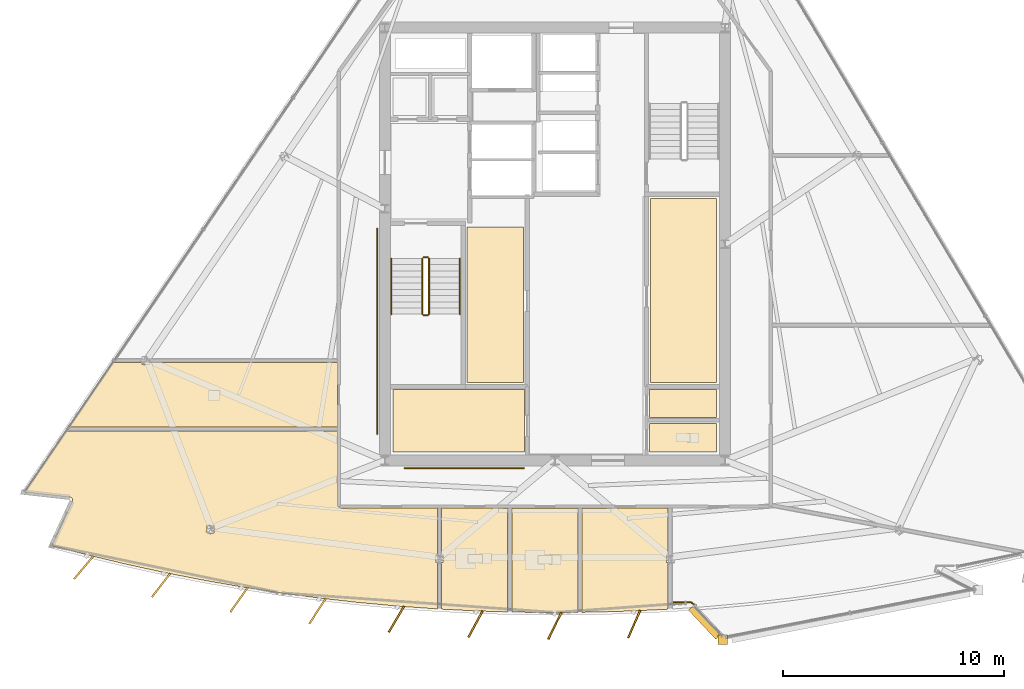
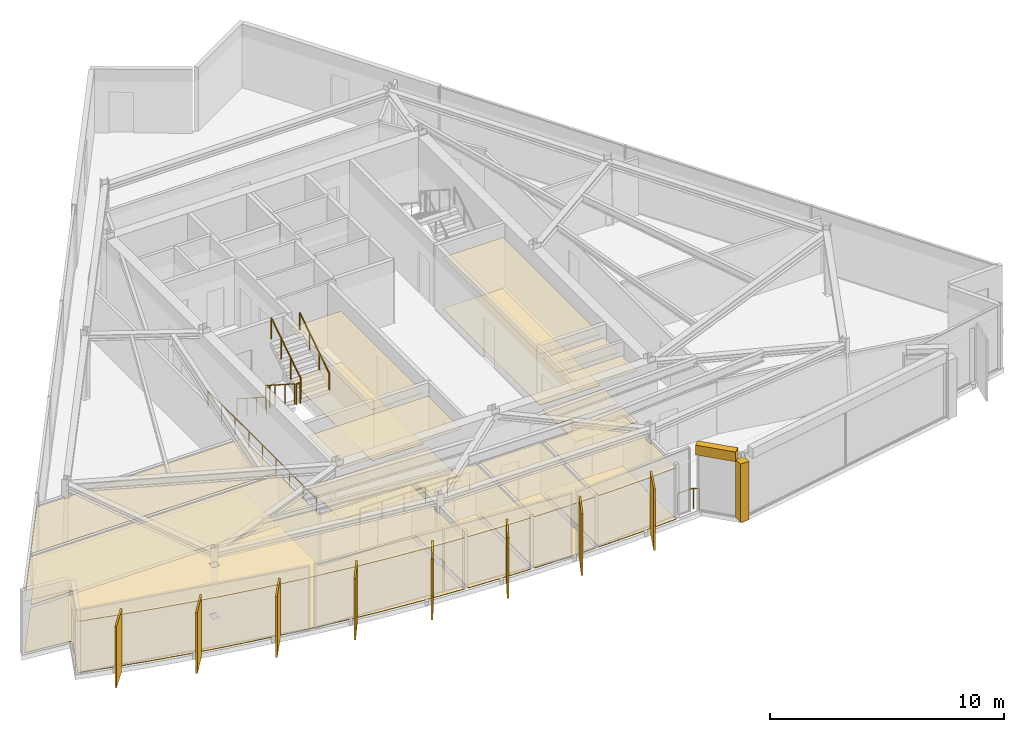
# One storey, part 9 of 13: 22 coverings, 9 railings, 8 shading devices.
"""IFC4 building model written with IfcOpenShell, lengths in metres."""

from ifc_helpers import new_model, si_unit, direction, frame, origin, origin_2d, place, context, subcontext, project, spatial, polyline, rectangle, circle, outline, extrude, material, layer, layer_set, type_object, element, save


model = new_model("IFC4")

# Units and contexts
model_context = context("Model", 3, precision=1e-05, world=origin(), true_north=direction((0.0, 1.0)))
body_context = subcontext(model_context, "Body", "Model", "MODEL_VIEW")
ifc_project = project(units=[si_unit("LENGTHUNIT", "METRE"), si_unit("AREAUNIT", "SQUARE_METRE"), si_unit("VOLUMEUNIT", "CUBIC_METRE"), si_unit("PLANEANGLEUNIT", "RADIAN"), si_unit("MASSUNIT", "GRAM", prefix="KILO")], contexts=[model_context])

# Site, building, storey
site_placement = place(None, origin())
site = spatial("IfcSite", under=ifc_project, at=site_placement, CompositionType="ELEMENT")
building_placement = place(site_placement, origin())
building = spatial("IfcBuilding", under=site, at=building_placement, Name="Savorim Split Tower", CompositionType="ELEMENT")
storey_placement = place(building_placement, frame((0.0, 0.0, 265.199951171875)))
storey = spatial("IfcBuildingStorey", under=building, at=storey_placement, Name="L70", CompositionType="ELEMENT", Elevation=265.199951171875)

# Coverings
ifc_material_1 = material(Name="Mineral Fibre Acoustic Ceiling")
ifc_layer_1 = layer(ifc_material_1, 0.02490234375)
ifc_layer_set_1 = layer_set([ifc_layer_1], Name="COV-CEIL-25")
covering_type_1 = type_object("IfcCoveringType", Name="COV-CEIL-25", PredefinedType="CEILING", material=ifc_layer_set_1)
covering_1_placement = place(storey_placement, frame((0.0, 0.0, 2.670166015625)))
element("IfcCovering", 1, at=covering_1_placement, inside=storey, type_object=covering_type_1, Name="L70 Shared Pantry and Linen Room Acoustic Ceiling", PredefinedType="CEILING", context=body_context, shape_type="SweptSolid", body=[
    extrude(outline(polyline([(4.330078125, 2.469970703125), (4.330078125, -5.8701171875), (7.320068359375, -5.8701171875), (7.320068359375, 2.469970703125), (4.330078125, 2.469970703125)])), origin(), (0.0, 0.0, 1.0), 0.02490234375),
])
covering_2_placement = place(storey_placement, frame((0.0, 0.0, 2.670166015625)))
element("IfcCovering", 2, at=covering_2_placement, inside=storey, type_object=covering_type_1, Name="L70 Housekeeping and Parcel Room Acoustic Ceiling", PredefinedType="CEILING", context=body_context, shape_type="SweptSolid", body=[
    extrude(outline(polyline([(-3.969970703125, 1.169921875), (-3.969970703125, -5.8701171875), (-1.429931640625, -5.8701171875), (-1.429931640625, 1.169921875), (-3.969970703125, 1.169921875)])), origin(), (0.0, 0.0, 1.0), 0.02490234375),
])
covering_3_placement = place(storey_placement, frame((0.0, 0.0, 2.670166015625)))
element("IfcCovering", 3, at=covering_3_placement, inside=storey, type_object=covering_type_1, Name="L70 Housekeeping Store Acoustic Ceiling", PredefinedType="CEILING", context=body_context, shape_type="SweptSolid", body=[
    extrude(outline(polyline([(-7.320068359375, -6.179931640625), (-7.320068359375, -9.02001953125), (-1.3798828125, -9.02001953125), (-1.3798828125, -6.179931640625), (-7.320068359375, -6.179931640625)])), origin(), (0.0, 0.0, 1.0), 0.02490234375),
])
covering_4_placement = place(storey_placement, frame((0.0, 0.0, 2.670166015625)))
element("IfcCovering", 4, at=covering_4_placement, inside=storey, type_object=covering_type_1, Name="L70 Accessible WC Acoustic Ceiling", PredefinedType="CEILING", context=body_context, shape_type="SweptSolid", body=[
    extrude(outline(polyline([(4.280029296875, -7.719970703125), (4.280029296875, -9.02001953125), (7.320068359375, -9.02001953125), (7.320068359375, -7.719970703125), (4.280029296875, -7.719970703125)])), origin(), (0.0, 0.0, 1.0), 0.02490234375),
])
covering_5_placement = place(storey_placement, frame((0.0, 0.0, 2.670166015625)))
element("IfcCovering", 5, at=covering_5_placement, inside=storey, type_object=covering_type_1, Name="L70 Cleaning Store Acoustic Ceiling", PredefinedType="CEILING", context=body_context, shape_type="SweptSolid", body=[
    extrude(outline(polyline([(4.280029296875, -6.179931640625), (4.280029296875, -7.43994140625), (7.320068359375, -7.43994140625), (7.320068359375, -6.179931640625), (4.280029296875, -6.179931640625)])), origin(), (0.0, 0.0, 1.0), 0.02490234375),
])
covering_6_placement = place(storey_placement, frame((0.0, 0.0, 2.670166015625)))
element("IfcCovering", 6, at=covering_6_placement, inside=storey, type_object=covering_type_1, Name="L70 Shared Kitchen Acoustic Ceiling", PredefinedType="CEILING", context=body_context, shape_type="SweptSolid", body=[
    extrude(outline(polyline([(-19.8955078125, -4.968017578125), (-19.990478515625, -4.968017578125), (-19.990478515625, -4.923828125), (-21.999755859375, -7.87744140625), (-9.840087890625, -7.87744140625), (-9.840087890625, -4.968017578125), (-18.35791015625, -4.968017578125), (-18.35791015625, -5.048095703125), (-18.68701171875, -5.048095703125), (-18.68701171875, -4.968017578125), (-19.8955078125, -4.968017578125)])), origin(), (0.0, 0.0, 1.0), 0.02490234375),
])
covering_7_placement = place(storey_placement, frame((0.0, 0.0, 2.670166015625)))
element("IfcCovering", 7, at=covering_7_placement, inside=storey, type_object=covering_type_1, Name="L70 Co-Working Commons Acoustic Ceiling", PredefinedType="CEILING", context=body_context, shape_type="SweptSolid", body=[
    extrude(outline(polyline([(-21.83837890625, -11.17236328125), (-21.83837890625, -11.18408203125), (-21.839111328125, -11.196044921875), (-21.84130859375, -11.2080078125), (-21.8447265625, -11.21923828125), (-21.84912109375, -11.23046875), (-22.7783203125, -13.2529296875), (-21.18994140625, -13.668212890625), (-19.45556640625, -14.084228515625), (-17.712890625, -14.464599609375), (-15.962646484375, -14.80908203125), (-14.2060546875, -15.117919921875), (-12.443359375, -15.390380859375), (-10.67529296875, -15.626953125), (-8.90283203125, -15.827392578125), (-7.126953125, -15.991455078125), (-5.34765625, -16.118896484375), (-5.321533203125, -16.120361328125), (-5.321533203125, -14.013427734375), (-5.39111328125, -14.013427734375), (-5.39111328125, -13.663330078125), (-5.321533203125, -13.663330078125), (-5.321533203125, -11.5400390625), (-9.699951171875, -11.5400390625), (-9.713623046875, -11.539306640625), (-9.727294921875, -11.537353515625), (-9.740478515625, -11.533935546875), (-9.753662109375, -11.529296875), (-9.76611328125, -11.5234375), (-9.77783203125, -11.516357421875), (-9.788818359375, -11.50830078125), (-9.799072265625, -11.4990234375), (-9.80810546875, -11.48876953125), (-9.81640625, -11.477783203125), (-9.823486328125, -11.466064453125), (-9.829345703125, -11.45361328125), (-9.833984375, -11.440673828125), (-9.83740234375, -11.42724609375), (-9.83935546875, -11.413818359375), (-9.840087890625, -11.39990234375), (-9.840087890625, -8.0673828125), (-22.12890625, -8.0673828125), (-24.0087890625, -10.83056640625), (-21.94482421875, -11.06103515625), (-21.93310546875, -11.06298828125), (-21.921630859375, -11.06591796875), (-21.910400390625, -11.0703125), (-21.899658203125, -11.075439453125), (-21.8896484375, -11.081787109375), (-21.880126953125, -11.089111328125), (-21.87158203125, -11.097412109375), (-21.86376953125, -11.1064453125), (-21.856689453125, -11.1162109375), (-21.850830078125, -11.12646484375), (-21.84619140625, -11.137451171875), (-21.84228515625, -11.148681640625), (-21.83984375, -11.160400390625), (-21.83837890625, -11.17236328125)]), holes=[polyline([(-15.759033203125, -12.68212890625), (-15.429931640625, -12.68212890625), (-15.429931640625, -12.332275390625), (-15.759033203125, -12.332275390625), (-15.759033203125, -12.68212890625)])]), origin(), (0.0, 0.0, 1.0), 0.02490234375),
])
covering_8_placement = place(storey_placement, frame((0.0, 0.0, 2.670166015625)))
element("IfcCovering", 8, at=covering_8_placement, inside=storey, type_object=covering_type_1, Name="L70 Shared Bathroom Acoustic Ceiling", PredefinedType="CEILING", context=body_context, shape_type="SweptSolid", body=[
    extrude(outline(polyline([(-5.131591796875, -16.0751953125), (-5.131591796875, -16.130126953125), (-3.56640625, -16.210205078125), (-2.136962890625, -16.254150390625), (-2.136962890625, -11.5400390625), (-5.131591796875, -11.5400390625), (-5.131591796875, -13.663330078125), (-5.06201171875, -13.663330078125), (-5.06201171875, -14.013427734375), (-5.131591796875, -14.013427734375), (-5.131591796875, -16.0751953125)])), origin(), (0.0, 0.0, 1.0), 0.02490234375),
])
covering_9_placement = place(storey_placement, frame((0.0, 0.0, 2.670166015625)))
element("IfcCovering", 9, at=covering_9_placement, inside=storey, type_object=covering_type_1, Name="L70 Shared Bathroom Acoustic Ceiling", PredefinedType="CEILING", context=body_context, shape_type="SweptSolid", body=[
    extrude(outline(polyline([(-1.947021484375, -16.260009765625), (-1.783447265625, -16.264892578125), (0.0, -16.283203125), (1.047607421875, -16.2724609375), (1.047607421875, -11.5400390625), (-1.947021484375, -11.5400390625), (-1.947021484375, -16.260009765625)])), origin(), (0.0, 0.0, 1.0), 0.02490234375),
])
covering_10_placement = place(storey_placement, frame((0.0, 0.0, 2.670166015625)))
element("IfcCovering", 10, at=covering_10_placement, inside=storey, type_object=covering_type_1, Name="L70 Co-Living Bedroom Acoustic Ceiling", PredefinedType="CEILING", context=body_context, shape_type="SweptSolid", body=[
    extrude(outline(polyline([(1.237548828125, -11.5400390625), (1.237548828125, -16.2705078125), (1.783447265625, -16.264892578125), (3.56640625, -16.210205078125), (5.131591796875, -16.130126953125), (5.131591796875, -14.013427734375), (5.06201171875, -14.013427734375), (5.06201171875, -13.663330078125), (5.131591796875, -13.663330078125), (5.131591796875, -11.5400390625), (1.237548828125, -11.5400390625)])), origin(), (0.0, 0.0, 1.0), 0.02490234375),
])
ifc_material_2 = material(Name="Porcelain Stoneware Flooring", Category="masonry")
ifc_layer_2 = layer(ifc_material_2, 0.02001953125)
ifc_layer_set_2 = layer_set([ifc_layer_2], Name="COV-FLOR-20")
covering_type_2 = type_object("IfcCoveringType", Name="COV-FLOR-20", PredefinedType="FLOORING", material=ifc_layer_set_2)
covering_11_placement = place(storey_placement, origin())
element("IfcCovering", 11, at=covering_11_placement, inside=storey, type_object=covering_type_2, Name="L70 Shared Pantry and Linen Room Porcelain Flooring", PredefinedType="FLOORING", context=body_context, shape_type="SweptSolid", body=[
    extrude(outline(polyline([(4.330078125, 2.469970703125), (4.330078125, -5.8701171875), (7.320068359375, -5.8701171875), (7.320068359375, 2.469970703125), (4.330078125, 2.469970703125)])), origin(), (0.0, 0.0, 1.0), 0.02001953125),
])
covering_12_placement = place(storey_placement, origin())
element("IfcCovering", 12, at=covering_12_placement, inside=storey, type_object=covering_type_2, Name="L70 Housekeeping and Parcel Room Porcelain Flooring", PredefinedType="FLOORING", context=body_context, shape_type="SweptSolid", body=[
    extrude(outline(polyline([(-3.969970703125, 1.169921875), (-3.969970703125, -5.8701171875), (-1.429931640625, -5.8701171875), (-1.429931640625, 1.169921875), (-3.969970703125, 1.169921875)])), origin(), (0.0, 0.0, 1.0), 0.02001953125),
])
covering_13_placement = place(storey_placement, origin())
element("IfcCovering", 13, at=covering_13_placement, inside=storey, type_object=covering_type_2, Name="L70 Housekeeping Store Porcelain Flooring", PredefinedType="FLOORING", context=body_context, shape_type="SweptSolid", body=[
    extrude(outline(polyline([(-7.320068359375, -6.179931640625), (-7.320068359375, -9.02001953125), (-1.3798828125, -9.02001953125), (-1.3798828125, -6.179931640625), (-7.320068359375, -6.179931640625)])), origin(), (0.0, 0.0, 1.0), 0.02001953125),
])
covering_14_placement = place(storey_placement, origin())
element("IfcCovering", 14, at=covering_14_placement, inside=storey, type_object=covering_type_2, Name="L70 Accessible WC Porcelain Flooring", PredefinedType="FLOORING", context=body_context, shape_type="SweptSolid", body=[
    extrude(outline(polyline([(4.280029296875, -7.719970703125), (4.280029296875, -9.02001953125), (7.320068359375, -9.02001953125), (7.320068359375, -7.719970703125), (4.280029296875, -7.719970703125)])), origin(), (0.0, 0.0, 1.0), 0.02001953125),
])
covering_15_placement = place(storey_placement, origin())
element("IfcCovering", 15, at=covering_15_placement, inside=storey, type_object=covering_type_2, Name="L70 Cleaning Store Porcelain Flooring", PredefinedType="FLOORING", context=body_context, shape_type="SweptSolid", body=[
    extrude(outline(polyline([(4.280029296875, -6.179931640625), (4.280029296875, -7.43994140625), (7.320068359375, -7.43994140625), (7.320068359375, -6.179931640625), (4.280029296875, -6.179931640625)])), origin(), (0.0, 0.0, 1.0), 0.02001953125),
])
covering_16_placement = place(storey_placement, origin())
element("IfcCovering", 16, at=covering_16_placement, inside=storey, type_object=covering_type_2, Name="L70 Shared Kitchen Porcelain Flooring", PredefinedType="FLOORING", context=body_context, shape_type="SweptSolid", body=[
    extrude(outline(polyline([(-19.8955078125, -4.968017578125), (-19.990478515625, -4.968017578125), (-19.990478515625, -4.923828125), (-21.999755859375, -7.87744140625), (-9.840087890625, -7.87744140625), (-9.840087890625, -4.968017578125), (-18.35791015625, -4.968017578125), (-18.35791015625, -5.048095703125), (-18.68701171875, -5.048095703125), (-18.68701171875, -4.968017578125), (-19.8955078125, -4.968017578125)])), origin(), (0.0, 0.0, 1.0), 0.02001953125),
])
covering_17_placement = place(storey_placement, origin())
element("IfcCovering", 17, at=covering_17_placement, inside=storey, type_object=covering_type_2, Name="L70 Co-Working Commons Porcelain Flooring", PredefinedType="FLOORING", context=body_context, shape_type="SweptSolid", body=[
    extrude(outline(polyline([(-21.83837890625, -11.17236328125), (-21.83837890625, -11.18408203125), (-21.839111328125, -11.196044921875), (-21.84130859375, -11.2080078125), (-21.8447265625, -11.21923828125), (-21.84912109375, -11.23046875), (-22.7783203125, -13.2529296875), (-21.18994140625, -13.668212890625), (-19.45556640625, -14.084228515625), (-17.712890625, -14.464599609375), (-15.962646484375, -14.80908203125), (-14.2060546875, -15.117919921875), (-12.443359375, -15.390380859375), (-10.67529296875, -15.626953125), (-8.90283203125, -15.827392578125), (-7.126953125, -15.991455078125), (-5.34765625, -16.118896484375), (-5.321533203125, -16.120361328125), (-5.321533203125, -14.013427734375), (-5.39111328125, -14.013427734375), (-5.39111328125, -13.663330078125), (-5.321533203125, -13.663330078125), (-5.321533203125, -11.5400390625), (-9.699951171875, -11.5400390625), (-9.713623046875, -11.539306640625), (-9.727294921875, -11.537353515625), (-9.740478515625, -11.533935546875), (-9.753662109375, -11.529296875), (-9.76611328125, -11.5234375), (-9.77783203125, -11.516357421875), (-9.788818359375, -11.50830078125), (-9.799072265625, -11.4990234375), (-9.80810546875, -11.48876953125), (-9.81640625, -11.477783203125), (-9.823486328125, -11.466064453125), (-9.829345703125, -11.45361328125), (-9.833984375, -11.440673828125), (-9.83740234375, -11.42724609375), (-9.83935546875, -11.413818359375), (-9.840087890625, -11.39990234375), (-9.840087890625, -8.0673828125), (-22.12890625, -8.0673828125), (-24.0087890625, -10.83056640625), (-21.94482421875, -11.06103515625), (-21.93310546875, -11.06298828125), (-21.921630859375, -11.06591796875), (-21.910400390625, -11.0703125), (-21.899658203125, -11.075439453125), (-21.8896484375, -11.081787109375), (-21.880126953125, -11.089111328125), (-21.87158203125, -11.097412109375), (-21.86376953125, -11.1064453125), (-21.856689453125, -11.1162109375), (-21.850830078125, -11.12646484375), (-21.84619140625, -11.137451171875), (-21.84228515625, -11.148681640625), (-21.83984375, -11.160400390625), (-21.83837890625, -11.17236328125)]), holes=[polyline([(-15.759033203125, -12.68212890625), (-15.429931640625, -12.68212890625), (-15.429931640625, -12.332275390625), (-15.759033203125, -12.332275390625), (-15.759033203125, -12.68212890625)])]), origin(), (0.0, 0.0, 1.0), 0.02001953125),
])
covering_18_placement = place(storey_placement, origin())
element("IfcCovering", 18, at=covering_18_placement, inside=storey, type_object=covering_type_2, Name="L70 Shared Bathroom Porcelain Flooring", PredefinedType="FLOORING", context=body_context, shape_type="SweptSolid", body=[
    extrude(outline(polyline([(-5.131591796875, -16.0751953125), (-5.131591796875, -16.130126953125), (-3.56640625, -16.210205078125), (-2.136962890625, -16.254150390625), (-2.136962890625, -11.5400390625), (-5.131591796875, -11.5400390625), (-5.131591796875, -13.663330078125), (-5.06201171875, -13.663330078125), (-5.06201171875, -14.013427734375), (-5.131591796875, -14.013427734375), (-5.131591796875, -16.0751953125)])), origin(), (0.0, 0.0, 1.0), 0.02001953125),
])
covering_19_placement = place(storey_placement, origin())
element("IfcCovering", 19, at=covering_19_placement, inside=storey, type_object=covering_type_2, Name="L70 Shared Bathroom Porcelain Flooring", PredefinedType="FLOORING", context=body_context, shape_type="SweptSolid", body=[
    extrude(outline(polyline([(-1.947021484375, -16.260009765625), (-1.783447265625, -16.264892578125), (0.0, -16.283203125), (1.047607421875, -16.2724609375), (1.047607421875, -11.5400390625), (-1.947021484375, -11.5400390625), (-1.947021484375, -16.260009765625)])), origin(), (0.0, 0.0, 1.0), 0.02001953125),
])
covering_20_placement = place(storey_placement, origin())
element("IfcCovering", 20, at=covering_20_placement, inside=storey, type_object=covering_type_2, Name="L70 Co-Living Bedroom Porcelain Flooring", PredefinedType="FLOORING", context=body_context, shape_type="SweptSolid", body=[
    extrude(outline(polyline([(1.237548828125, -11.5400390625), (1.237548828125, -16.2705078125), (1.783447265625, -16.264892578125), (3.56640625, -16.210205078125), (5.131591796875, -16.130126953125), (5.131591796875, -14.013427734375), (5.06201171875, -14.013427734375), (5.06201171875, -13.663330078125), (5.131591796875, -13.663330078125), (5.131591796875, -11.5400390625), (1.237548828125, -11.5400390625)])), origin(), (0.0, 0.0, 1.0), 0.02001953125),
])
ifc_material_3 = material(Name="White Porcelain Architectural Cladding")
ifc_layer_3 = layer(ifc_material_3, 0.139892578125)
ifc_layer_set_3 = layer_set([ifc_layer_3], Name="COV-FRM-WHITE")
covering_type_3 = type_object("IfcCoveringType", Name="COV-FRM-WHITE", PredefinedType="CLADDING", material=ifc_layer_set_3)
covering_21_placement = place(storey_placement, frame((0.0, 0.0, 3.080078125)))
element("IfcCovering", 21, at=covering_21_placement, inside=storey, type_object=covering_type_3, Name="L70 Cantilevered Lounge White Upper Cornice Band W", PredefinedType="CLADDING", context=body_context, shape_type="SweptSolid", body=[
    extrude(outline(polyline([(6.05224609375, -16.179443359375), (7.283203125, -17.49267578125), (7.53125, -17.260009765625), (6.30029296875, -15.94677734375), (6.05224609375, -16.179443359375)])), origin(), (0.0, 0.0, 1.0), 0.510009765625),
])
covering_22_placement = place(storey_placement, frame((0.0, 0.0, 0.010009765625)))
element("IfcCovering", 22, at=covering_22_placement, inside=storey, type_object=covering_type_3, Name="L70 Cantilevered Lounge White Frame Corner Post 1", PredefinedType="CLADDING", context=body_context, shape_type="SweptSolid", body=[
    extrude(outline(polyline([(7.397705078125, -17.727294921875), (7.81787109375, -17.727294921875), (7.81787109375, -17.307373046875), (7.397705078125, -17.307373046875), (7.397705078125, -17.727294921875)])), origin(), (0.0, 0.0, 1.0), 3.050048828125),
])

# Railings
ifc_material_4 = material(Name="Galvanised Painted Steel Balustrade", Category="steel")
railing_type_1 = type_object("IfcRailingType", Name="RLG-BAL-1100", PredefinedType="BALUSTRADE", material=ifc_material_4)
railing_1_placement = place(storey_placement, frame((5.3779296875, -15.820556640625, 0.0)))
element("IfcRailing", 23, at=railing_1_placement, inside=storey, type_object=railing_type_1, Name="L70 Cantilevered Lounge West Edge Closure Guard", PredefinedType="BALUSTRADE", context=body_context, shape_type="SweptSolid", body=[
    extrude(circle(Radius=0.02392578125, at=origin_2d()), frame((0.0, 0.0, 1.076171875), z_axis=(1.0, 0.0, 0.0), x_axis=(0.0, 1.0, 0.0)), (0.0, 0.0, 1.0), 0.780029296875),
    extrude(circle(Radius=0.02392578125, at=origin_2d()), frame((0.780029296875, 0.0, 1.076171875), z_axis=(0.85212835353, -0.523332847345, 0.0), x_axis=(0.523332847345, 0.85212835353, 0.0)), (0.0, 0.0, 1.0), 0.267333984375),
    extrude(circle(Radius=0.02099609375, at=origin_2d()), origin(), (0.0, 0.0, 1.0), 1.052001953125),
    extrude(circle(Radius=0.02099609375, at=origin_2d()), frame((0.780029296875, 0.0, 0.0)), (0.0, 0.0, 1.0), 1.052001953125),
    extrude(circle(Radius=0.02099609375, at=origin_2d()), frame((1.0078125, -0.139892578125, 0.0)), (0.0, 0.0, 1.0), 1.052001953125),
])
railing_type_2 = type_object("IfcRailingType", Name="RLG-HR-900", PredefinedType="HANDRAIL", material=ifc_material_4)
railing_2_placement = place(storey_placement, frame((-7.39990234375, -0.25, 0.179931640625)))
element("IfcRailing", 24, at=railing_2_placement, inside=storey, type_object=railing_type_2, Name="L70 ST-1 stair handrail 1", PredefinedType="HANDRAIL", context=body_context, shape_type="SweptSolid", body=[
    extrude(circle(Radius=0.02392578125, at=origin_2d()), frame((0.0, 0.0, 0.8759765625), z_axis=(0.0, -0.841162588446, 0.540782303519), x_axis=(1.0, 0.0, 0.0)), (0.0, 0.0, 1.0), 2.995849609375),
    extrude(circle(Radius=0.02099609375, at=origin_2d()), origin(), (0.0, 0.0, 1.0), 0.851806640625),
    extrude(circle(Radius=0.02099609375, at=origin_2d()), frame((0.0, -0.840087890625, 0.5400390625)), (0.0, 0.0, 1.0), 0.851806640625),
    extrude(circle(Radius=0.02099609375, at=origin_2d()), frame((0.0, -1.679931640625, 1.080078125)), (0.0, 0.0, 1.0), 0.851806640625),
    extrude(circle(Radius=0.02099609375, at=origin_2d()), frame((0.0, -2.52001953125, 1.6201171875)), (0.0, 0.0, 1.0), 0.851806640625),
])
railing_3_placement = place(storey_placement, frame((-4.300048828125, -2.77001953125, 1.97998046875)))
element("IfcRailing", 25, at=railing_3_placement, inside=storey, type_object=railing_type_2, Name="L70 ST-1 stair handrail 2", PredefinedType="HANDRAIL", context=body_context, shape_type="SweptSolid", body=[
    extrude(circle(Radius=0.02392578125, at=origin_2d()), frame((0.0, 0.0, 0.8759765625), z_axis=(0.0, 0.841162588446, 0.540782303519), x_axis=(-1.0, 0.0, 0.0)), (0.0, 0.0, 1.0), 2.995849609375),
    extrude(circle(Radius=0.02099609375, at=origin_2d()), origin(), (0.0, 0.0, 1.0), 0.851806640625),
    extrude(circle(Radius=0.02099609375, at=origin_2d()), frame((0.0, 0.840087890625, 0.5400390625)), (0.0, 0.0, 1.0), 0.851806640625),
    extrude(circle(Radius=0.02099609375, at=origin_2d()), frame((0.0, 1.679931640625, 1.080078125)), (0.0, 0.0, 1.0), 0.851806640625),
    extrude(circle(Radius=0.02099609375, at=origin_2d()), frame((0.0, 2.52001953125, 1.6201171875)), (0.0, 0.0, 1.0), 0.851806640625),
])
railing_4_placement = place(storey_placement, frame((-6.800048828125, -9.75, 0.0)))
element("IfcRailing", 26, at=railing_4_placement, inside=storey, type_object=railing_type_2, Name="L70 Corridor South Accessible Handrail", PredefinedType="HANDRAIL", context=body_context, shape_type="SweptSolid", body=[
    extrude(circle(Radius=0.02392578125, at=origin_2d()), frame((0.0, 0.0, 0.8759765625), z_axis=(1.0, 0.0, 0.0), x_axis=(0.0, 1.0, 0.0)), (0.0, 0.0, 1.0), 5.400146484375),
    extrude(circle(Radius=0.02099609375, at=origin_2d()), origin(), (0.0, 0.0, 1.0), 0.851806640625),
    extrude(circle(Radius=0.02099609375, at=origin_2d()), frame((1.080078125, 0.0, 0.0)), (0.0, 0.0, 1.0), 0.851806640625),
    extrude(circle(Radius=0.02099609375, at=origin_2d()), frame((2.16015625, 0.0, 0.0)), (0.0, 0.0, 1.0), 0.851806640625),
    extrude(circle(Radius=0.02099609375, at=origin_2d()), frame((3.239990234375, 0.0, 0.0)), (0.0, 0.0, 1.0), 0.851806640625),
    extrude(circle(Radius=0.02099609375, at=origin_2d()), frame((4.320068359375, 0.0, 0.0)), (0.0, 0.0, 1.0), 0.851806640625),
    extrude(circle(Radius=0.02099609375, at=origin_2d()), frame((5.400146484375, 0.0, 0.0)), (0.0, 0.0, 1.0), 0.851806640625),
])
railing_5_placement = place(storey_placement, frame((-8.050048828125, -8.199951171875, 0.0)))
element("IfcRailing", 27, at=railing_5_placement, inside=storey, type_object=railing_type_2, Name="L70 Corridor West Accessible Handrail", PredefinedType="HANDRAIL", context=body_context, shape_type="SweptSolid", body=[
    extrude(circle(Radius=0.02392578125, at=origin_2d()), frame((0.0, 0.0, 0.8759765625), z_axis=(0.0, 1.0, 0.0), x_axis=(-1.0, 0.0, 0.0)), (0.0, 0.0, 1.0), 9.300048828125),
    extrude(circle(Radius=0.02099609375, at=origin_2d()), origin(), (0.0, 0.0, 1.0), 0.851806640625),
    extrude(circle(Radius=0.02099609375, at=origin_2d()), frame((0.0, 1.16259765625, 0.0)), (0.0, 0.0, 1.0), 0.851806640625),
    extrude(circle(Radius=0.02099609375, at=origin_2d()), frame((0.0, 2.324951171875, 0.0)), (0.0, 0.0, 1.0), 0.851806640625),
    extrude(circle(Radius=0.02099609375, at=origin_2d()), frame((0.0, 3.487548828125, 0.0)), (0.0, 0.0, 1.0), 0.851806640625),
    extrude(circle(Radius=0.02099609375, at=origin_2d()), frame((0.0, 4.64990234375, 0.0)), (0.0, 0.0, 1.0), 0.851806640625),
    extrude(circle(Radius=0.02099609375, at=origin_2d()), frame((0.0, 5.8125, 0.0)), (0.0, 0.0, 1.0), 0.851806640625),
    extrude(circle(Radius=0.02099609375, at=origin_2d()), frame((0.0, 6.97509765625, 0.0)), (0.0, 0.0, 1.0), 0.851806640625),
    extrude(circle(Radius=0.02099609375, at=origin_2d()), frame((0.0, 8.137451171875, 0.0)), (0.0, 0.0, 1.0), 0.851806640625),
    extrude(circle(Radius=0.02099609375, at=origin_2d()), frame((0.0, 9.300048828125, 0.0)), (0.0, 0.0, 1.0), 0.851806640625),
])
railing_type_3 = type_object("IfcRailingType", Name="RLG-STG-1100", PredefinedType="BALUSTRADE", material=ifc_material_4)
railing_6_placement = place(storey_placement, frame((-6.0, -0.25, 0.179931640625)))
element("IfcRailing", 28, at=railing_6_placement, inside=storey, type_object=railing_type_3, Name="L70 ST-1 stair guard 1", PredefinedType="BALUSTRADE", context=body_context, shape_type="SweptSolid", body=[
    extrude(circle(Radius=0.02392578125, at=origin_2d()), frame((0.0, 0.0, 1.076171875), z_axis=(0.0, -0.841162588446, 0.540782303519), x_axis=(1.0, 0.0, 0.0)), (0.0, 0.0, 1.0), 2.995849609375),
    extrude(circle(Radius=0.02099609375, at=origin_2d()), origin(), (0.0, 0.0, 1.0), 1.052001953125),
    extrude(circle(Radius=0.02099609375, at=origin_2d()), frame((0.0, -0.840087890625, 0.5400390625)), (0.0, 0.0, 1.0), 1.052001953125),
    extrude(circle(Radius=0.02099609375, at=origin_2d()), frame((0.0, -1.679931640625, 1.080078125)), (0.0, 0.0, 1.0), 1.052001953125),
    extrude(circle(Radius=0.02099609375, at=origin_2d()), frame((0.0, -2.52001953125, 1.6201171875)), (0.0, 0.0, 1.0), 1.052001953125),
])
railing_7_placement = place(storey_placement, frame((-5.949951171875, -2.820068359375, 1.800048828125)))
element("IfcRailing", 29, at=railing_7_placement, inside=storey, type_object=railing_type_3, Name="L70 ST-1 stair guard 2", PredefinedType="BALUSTRADE", context=body_context, shape_type="SweptSolid", body=[
    extrude(circle(Radius=0.02392578125, at=origin_2d()), frame((0.0, 0.0, 1.076171875), z_axis=(1.0, 0.0, 0.0), x_axis=(0.0, 1.0, 0.0)), (0.0, 0.0, 1.0), 0.199951171875),
    extrude(circle(Radius=0.02099609375, at=origin_2d()), origin(), (0.0, 0.0, 1.0), 1.052001953125),
    extrude(circle(Radius=0.02099609375, at=origin_2d()), frame((0.199951171875, 0.0, 0.0)), (0.0, 0.0, 1.0), 1.052001953125),
])
railing_8_placement = place(storey_placement, frame((-5.699951171875, -2.77001953125, 1.97998046875)))
element("IfcRailing", 30, at=railing_8_placement, inside=storey, type_object=railing_type_3, Name="L70 ST-1 stair guard 3", PredefinedType="BALUSTRADE", context=body_context, shape_type="SweptSolid", body=[
    extrude(circle(Radius=0.02392578125, at=origin_2d()), frame((0.0, 0.0, 1.076171875), z_axis=(0.0, 0.841162588446, 0.540782303519), x_axis=(-1.0, 0.0, 0.0)), (0.0, 0.0, 1.0), 2.995849609375),
    extrude(circle(Radius=0.02099609375, at=origin_2d()), origin(), (0.0, 0.0, 1.0), 1.052001953125),
    extrude(circle(Radius=0.02099609375, at=origin_2d()), frame((0.0, 0.840087890625, 0.5400390625)), (0.0, 0.0, 1.0), 1.052001953125),
    extrude(circle(Radius=0.02099609375, at=origin_2d()), frame((0.0, 1.679931640625, 1.080078125)), (0.0, 0.0, 1.0), 1.052001953125),
    extrude(circle(Radius=0.02099609375, at=origin_2d()), frame((0.0, 2.52001953125, 1.6201171875)), (0.0, 0.0, 1.0), 1.052001953125),
])
railing_9_placement = place(storey_placement, frame((-5.949951171875, -0.199951171875, 0.0)))
element("IfcRailing", 31, at=railing_9_placement, inside=storey, type_object=railing_type_3, Name="L70 ST-1 stair guard 4", PredefinedType="BALUSTRADE", context=body_context, shape_type="SweptSolid", body=[
    extrude(circle(Radius=0.02392578125, at=origin_2d()), frame((0.0, 0.0, 1.076171875), z_axis=(1.0, 0.0, 0.0), x_axis=(0.0, 1.0, 0.0)), (0.0, 0.0, 1.0), 0.199951171875),
    extrude(circle(Radius=0.02099609375, at=origin_2d()), origin(), (0.0, 0.0, 1.0), 1.052001953125),
    extrude(circle(Radius=0.02099609375, at=origin_2d()), frame((0.199951171875, 0.0, 0.0)), (0.0, 0.0, 1.0), 1.052001953125),
])

# Shading devices
ifc_material_5 = material(Name="Terracotta Ceramic-Coated Aluminium Fin", Category="masonry")
shading_device_type = type_object("IfcShadingDeviceType", Name="SHD-FIN-1360", PredefinedType="USERDEFINED", material=ifc_material_5)
for number, where, z_axis, x_axis, name in (
    (32, (-21.3349609375, -14.246337890625, -0.19970703125), (0.0, 0.0, 1.0), (-0.643719022682, -0.765261928909, 0.0), "L70 Sawtooth Shading Fin 01"),
    (33, (-17.833984375, -15.048095703125, -0.19970703125), (0.0, 0.0, 1.0), (-0.611868076908, -0.790959832394, 0.0), "L70 Sawtooth Shading Fin 02"),
    (34, (-14.302978515625, -15.705810546875, -0.19970703125), (0.0, 0.0, 1.0), (-0.578993757737, -0.815331974414, 0.0), "L70 Sawtooth Shading Fin 03"),
    (35, (-10.748291015625, -16.218505859375, -0.19970703125), (0.0, 0.0, 1.0), (-0.545148321708, -0.838339613366, 0.0), "L70 Sawtooth Shading Fin 04"),
    (36, (-7.175537109375, -16.58544921875, -0.19970703125), (0.0, 0.0, 1.0), (-0.510391336723, -0.859942255851, 0.0), "L70 Sawtooth Shading Fin 05"),
    (37, (-3.5908203125, -16.8056640625, -0.19970703125), (0.0, 0.0, 1.0), (-0.474778051978, -0.880105562623, 0.0), "L70 Sawtooth Shading Fin 06"),
    (38, (0.0, -16.879150390625, -0.19970703125), (0.0, 0.0, 1.0), (-0.438371146789, -0.898794046299, 0.0), "L70 Sawtooth Shading Fin 07"),
    (39, (3.5908203125, -16.8056640625, -0.19970703125), (0.0, 0.0, 1.0), (-0.401230091723, -0.915977299662, 0.0), "L70 Sawtooth Shading Fin 08"),
):
    element("IfcShadingDevice", number, at=place(storey_placement, frame(where, z_axis=z_axis, x_axis=x_axis)), inside=storey, type_object=shading_device_type, Name=name, ObjectType="FIN", PredefinedType="USERDEFINED", context=body_context, shape_type="SweptSolid", body=[
        extrude(rectangle(XDim=1.360107421875, YDim=0.080078125, at=origin_2d()), origin(), (0.0, 0.0, 1.0), 3.199951171875),
    ])

save(model, "model.ifc")
